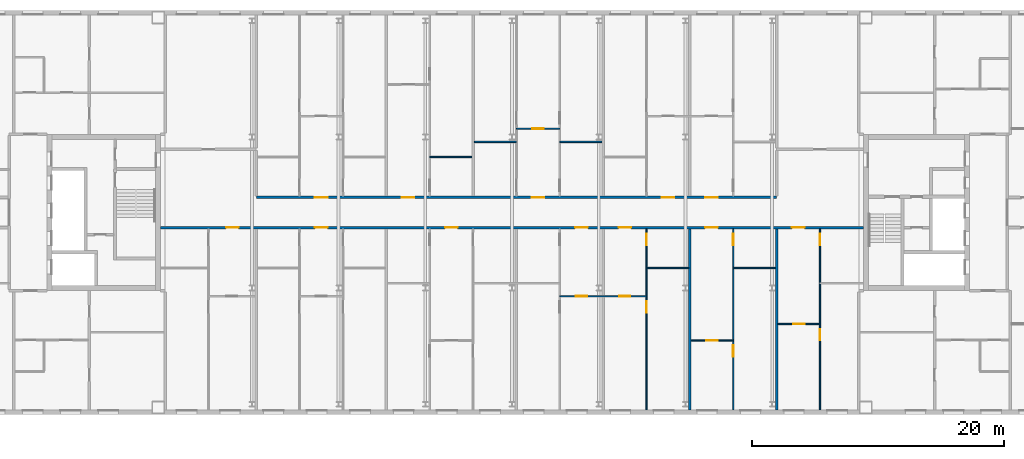
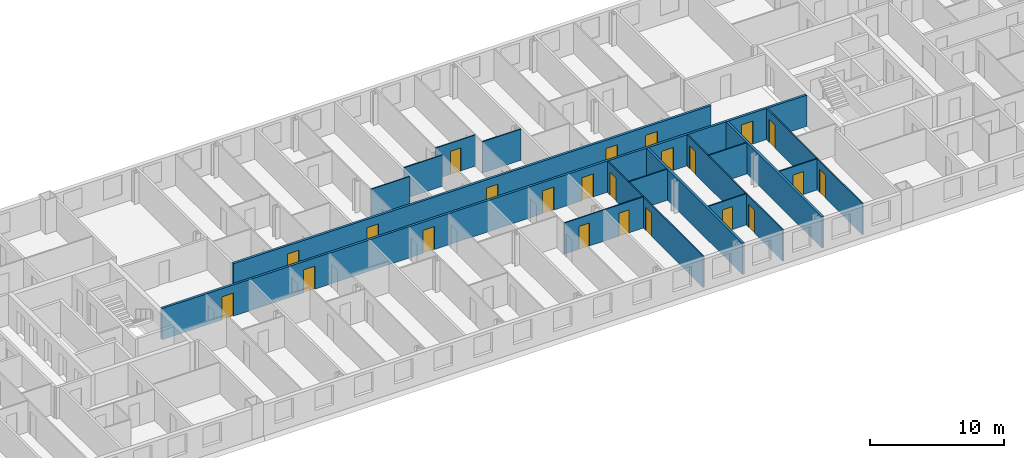
# One storey, part 11 of 19: 23 doors, 16 walls, 23 openings.
"""IFC4 building model written with IfcOpenShell, lengths in metres."""

from ifc_helpers import new_model, si_unit, direction, frame, frame_2d, origin, place, context, subcontext, project, spatial, rectangle, extrude, material, layer, layer_set, type_object, element, fill, save


model = new_model("IFC4")

# Units and contexts
model_context = context("Model", 3, precision=1e-05, world=origin(), true_north=direction((0.0, 1.0)))
body_context = subcontext(model_context, "Body", "Model", "MODEL_VIEW")
ifc_project = project(units=[si_unit("LENGTHUNIT", "METRE"), si_unit("AREAUNIT", "SQUARE_METRE"), si_unit("VOLUMEUNIT", "CUBIC_METRE"), si_unit("PLANEANGLEUNIT", "RADIAN"), si_unit("MASSUNIT", "GRAM", prefix="KILO")], contexts=[model_context])

# Site, building, storey
site_placement = place(None, origin())
site = spatial("IfcSite", under=ifc_project, at=site_placement, CompositionType="ELEMENT")
building_placement = place(site_placement, origin())
building = spatial("IfcBuilding", under=site, at=building_placement, Name="Tuart Gate Housing", CompositionType="ELEMENT")
storey_placement = place(building_placement, frame((0.0, 0.0, 202.800048828125)))
storey = spatial("IfcBuildingStorey", under=building, at=storey_placement, Name="L57", CompositionType="ELEMENT", Elevation=202.800048828125)

# Wall, openings, doors
ifc_material_1 = material(Name="Concrete masonry 15 MPa", Category="masonry")
ifc_layer_1 = layer(ifc_material_1, 0.199951171875)
ifc_layer_set_1 = layer_set([ifc_layer_1], Name="Corridor wall masonry 200")
wall_type_1 = type_object("IfcWallType", Name="Corridor wall masonry 200", PredefinedType="PARTITIONING", material=ifc_layer_set_1)
wall_1_placement = place(storey_placement, frame((75.639892578125, 68.800048828125, 0.0), z_axis=(0.0, 0.0, 1.0), x_axis=(1.0, 0.0, 0.0)))
wall_1 = element("IfcWall", 1, at=wall_1_placement, inside=storey, type_object=wall_type_1, Name="Corridor wall masonry 200", PredefinedType="PARTITIONING", context=body_context, shape_type="SweptSolid", body=[
    extrude(rectangle(XDim=55.72021484375, YDim=0.199951171875, at=frame_2d((27.860107421875, 0.0))), origin(), (0.0, 0.0, 1.0), 2.849853515625),
])
opening_1_placement = place(wall_1_placement, frame((5.19140625, 0.0, 0.0)))
opening_1 = element("IfcOpeningElement", 2, at=opening_1_placement, cuts=wall_1, Name="Opening D2028", PredefinedType="OPENING", context=body_context, shape_type="SweptSolid", body=[
    extrude(rectangle(XDim=1.0, YDim=2.10009765625, at=frame_2d((0.5, 1.050048828125))), frame((0.0, 0.10986328125, 0.0), z_axis=(0.0, -1.0, 0.0), x_axis=(1.0, 0.0, 0.0)), (0.0, 0.0, 1.0), 0.219970703125),
])
opening_2_placement = place(wall_1_placement, frame((12.240966796875, 0.0, 0.0)))
opening_2 = element("IfcOpeningElement", 3, at=opening_2_placement, cuts=wall_1, Name="Opening D2029", PredefinedType="OPENING", context=body_context, shape_type="SweptSolid", body=[
    extrude(rectangle(XDim=1.0, YDim=2.10009765625, at=frame_2d((0.5, 1.050048828125))), frame((0.0, 0.10986328125, 0.0), z_axis=(0.0, -1.0, 0.0), x_axis=(1.0, 0.0, 0.0)), (0.0, 0.0, 1.0), 0.219970703125),
])
opening_3_placement = place(wall_1_placement, frame((22.553466796875, 0.0, 0.0)))
opening_3 = element("IfcOpeningElement", 4, at=opening_3_placement, cuts=wall_1, Name="Opening D2030", PredefinedType="OPENING", context=body_context, shape_type="SweptSolid", body=[
    extrude(rectangle(XDim=1.0, YDim=2.10009765625, at=frame_2d((0.5, 1.050048828125))), frame((0.0, 0.10986328125, 0.0), z_axis=(0.0, -1.0, 0.0), x_axis=(1.0, 0.0, 0.0)), (0.0, 0.0, 1.0), 0.219970703125),
])
opening_4_placement = place(wall_1_placement, frame((32.865966796875, 0.0, 0.0)))
opening_4 = element("IfcOpeningElement", 5, at=opening_4_placement, cuts=wall_1, Name="Opening D2031", PredefinedType="OPENING", context=body_context, shape_type="SweptSolid", body=[
    extrude(rectangle(XDim=1.0, YDim=2.10009765625, at=frame_2d((0.5, 1.050048828125))), frame((0.0, 0.10986328125, 0.0), z_axis=(0.0, -1.0, 0.0), x_axis=(1.0, 0.0, 0.0)), (0.0, 0.0, 1.0), 0.219970703125),
])
opening_5_placement = place(wall_1_placement, frame((36.303466796875, 0.0, 0.0)))
opening_5 = element("IfcOpeningElement", 6, at=opening_5_placement, cuts=wall_1, Name="Opening D2032", PredefinedType="OPENING", context=body_context, shape_type="SweptSolid", body=[
    extrude(rectangle(XDim=1.0, YDim=2.10009765625, at=frame_2d((0.5, 1.050048828125))), frame((0.0, 0.10986328125, 0.0), z_axis=(0.0, -1.0, 0.0), x_axis=(1.0, 0.0, 0.0)), (0.0, 0.0, 1.0), 0.219970703125),
])
opening_6_placement = place(wall_1_placement, frame((43.178466796875, 0.0, 0.0)))
opening_6 = element("IfcOpeningElement", 7, at=opening_6_placement, cuts=wall_1, Name="Opening D2033", PredefinedType="OPENING", context=body_context, shape_type="SweptSolid", body=[
    extrude(rectangle(XDim=1.0, YDim=2.10009765625, at=frame_2d((0.5, 1.050048828125))), frame((0.0, 0.10986328125, 0.0), z_axis=(0.0, -1.0, 0.0), x_axis=(1.0, 0.0, 0.0)), (0.0, 0.0, 1.0), 0.219970703125),
])
opening_7_placement = place(wall_1_placement, frame((50.053466796875, 0.0, 0.0)))
opening_7 = element("IfcOpeningElement", 8, at=opening_7_placement, cuts=wall_1, Name="Opening D2034", PredefinedType="OPENING", context=body_context, shape_type="SweptSolid", body=[
    extrude(rectangle(XDim=1.0, YDim=2.10009765625, at=frame_2d((0.5, 1.050048828125))), frame((0.0, 0.10986328125, 0.0), z_axis=(0.0, -1.0, 0.0), x_axis=(1.0, 0.0, 0.0)), (0.0, 0.0, 1.0), 0.219970703125),
])
ifc_material_2 = material(Name="Timber door leaf in steel frame", Category="steel")
door_type_1 = type_object("IfcDoorType", Name="Flat entrance door 1000 RH", OperationType="SINGLE_SWING_RIGHT", PredefinedType="DOOR", material=ifc_material_2)
door_1_placement = place(opening_1_placement, frame((1.0, 0.0, 0.0), z_axis=(0.0, 0.0, 1.0), x_axis=(-1.0, 0.0, 0.0)))
door_1 = element("IfcDoor", 9, at=door_1_placement, inside=storey, type_object=door_type_1, Name="Flat entrance door", OperationType="SINGLE_SWING_RIGHT", OverallHeight=2.10009765625, OverallWidth=1.0, PredefinedType="DOOR", context=body_context, shape_type="SweptSolid", body=[
    extrude(rectangle(XDim=1.0, YDim=2.10009765625, at=frame_2d((0.5, 1.050048828125))), frame((0.0, 0.025146484375, 0.0), z_axis=(0.0, -1.0, 0.0), x_axis=(1.0, 0.0, 0.0)), (0.0, 0.0, 1.0), 0.050048828125),
])
fill(opening_1, door_1)
door_2_placement = place(opening_2_placement, frame((1.0, 0.0, 0.0), z_axis=(0.0, 0.0, 1.0), x_axis=(-1.0, 0.0, 0.0)))
door_2 = element("IfcDoor", 10, at=door_2_placement, inside=storey, type_object=door_type_1, Name="Flat entrance door", OperationType="SINGLE_SWING_RIGHT", OverallHeight=2.10009765625, OverallWidth=1.0, PredefinedType="DOOR", context=body_context, shape_type="SweptSolid", body=[
    extrude(rectangle(XDim=1.0, YDim=2.10009765625, at=frame_2d((0.5, 1.050048828125))), frame((0.0, 0.025146484375, 0.0), z_axis=(0.0, -1.0, 0.0), x_axis=(1.0, 0.0, 0.0)), (0.0, 0.0, 1.0), 0.050048828125),
])
fill(opening_2, door_2)
door_3_placement = place(opening_3_placement, frame((1.0, 0.0, 0.0), z_axis=(0.0, 0.0, 1.0), x_axis=(-1.0, 0.0, 0.0)))
door_3 = element("IfcDoor", 11, at=door_3_placement, inside=storey, type_object=door_type_1, Name="Flat entrance door", OperationType="SINGLE_SWING_RIGHT", OverallHeight=2.10009765625, OverallWidth=1.0, PredefinedType="DOOR", context=body_context, shape_type="SweptSolid", body=[
    extrude(rectangle(XDim=1.0, YDim=2.10009765625, at=frame_2d((0.5, 1.050048828125))), frame((0.0, 0.025146484375, 0.0), z_axis=(0.0, -1.0, 0.0), x_axis=(1.0, 0.0, 0.0)), (0.0, 0.0, 1.0), 0.050048828125),
])
fill(opening_3, door_3)
door_4_placement = place(opening_4_placement, frame((1.0, 0.0, 0.0), z_axis=(0.0, 0.0, 1.0), x_axis=(-1.0, 0.0, 0.0)))
door_4 = element("IfcDoor", 12, at=door_4_placement, inside=storey, type_object=door_type_1, Name="Flat entrance door", OperationType="SINGLE_SWING_RIGHT", OverallHeight=2.10009765625, OverallWidth=1.0, PredefinedType="DOOR", context=body_context, shape_type="SweptSolid", body=[
    extrude(rectangle(XDim=1.0, YDim=2.10009765625, at=frame_2d((0.5, 1.050048828125))), frame((0.0, 0.025146484375, 0.0), z_axis=(0.0, -1.0, 0.0), x_axis=(1.0, 0.0, 0.0)), (0.0, 0.0, 1.0), 0.050048828125),
])
fill(opening_4, door_4)
door_5_placement = place(opening_5_placement, frame((1.0, 0.0, 0.0), z_axis=(0.0, 0.0, 1.0), x_axis=(-1.0, 0.0, 0.0)))
door_5 = element("IfcDoor", 13, at=door_5_placement, inside=storey, type_object=door_type_1, Name="Flat entrance door", OperationType="SINGLE_SWING_RIGHT", OverallHeight=2.10009765625, OverallWidth=1.0, PredefinedType="DOOR", context=body_context, shape_type="SweptSolid", body=[
    extrude(rectangle(XDim=1.0, YDim=2.10009765625, at=frame_2d((0.5, 1.050048828125))), frame((0.0, 0.025146484375, 0.0), z_axis=(0.0, -1.0, 0.0), x_axis=(1.0, 0.0, 0.0)), (0.0, 0.0, 1.0), 0.050048828125),
])
fill(opening_5, door_5)
door_6_placement = place(opening_6_placement, frame((1.0, 0.0, 0.0), z_axis=(0.0, 0.0, 1.0), x_axis=(-1.0, 0.0, 0.0)))
door_6 = element("IfcDoor", 14, at=door_6_placement, inside=storey, type_object=door_type_1, Name="Flat entrance door", OperationType="SINGLE_SWING_RIGHT", OverallHeight=2.10009765625, OverallWidth=1.0, PredefinedType="DOOR", context=body_context, shape_type="SweptSolid", body=[
    extrude(rectangle(XDim=1.0, YDim=2.10009765625, at=frame_2d((0.5, 1.050048828125))), frame((0.0, 0.025146484375, 0.0), z_axis=(0.0, -1.0, 0.0), x_axis=(1.0, 0.0, 0.0)), (0.0, 0.0, 1.0), 0.050048828125),
])
fill(opening_6, door_6)
door_7_placement = place(opening_7_placement, frame((1.0, 0.0, 0.0), z_axis=(0.0, 0.0, 1.0), x_axis=(-1.0, 0.0, 0.0)))
door_7 = element("IfcDoor", 15, at=door_7_placement, inside=storey, type_object=door_type_1, Name="Flat entrance door", OperationType="SINGLE_SWING_RIGHT", OverallHeight=2.10009765625, OverallWidth=1.0, PredefinedType="DOOR", context=body_context, shape_type="SweptSolid", body=[
    extrude(rectangle(XDim=1.0, YDim=2.10009765625, at=frame_2d((0.5, 1.050048828125))), frame((0.0, 0.025146484375, 0.0), z_axis=(0.0, -1.0, 0.0), x_axis=(1.0, 0.0, 0.0)), (0.0, 0.0, 1.0), 0.050048828125),
])
fill(opening_7, door_7)

wall_2_placement = place(storey_placement, frame((83.22509765625, 71.199951171875, 0.0), z_axis=(0.0, 0.0, 1.0), x_axis=(1.0, 0.0, 0.0)))
wall_2 = element("IfcWall", 16, at=wall_2_placement, inside=storey, type_object=wall_type_1, Name="Corridor wall masonry 200", PredefinedType="PARTITIONING", context=body_context, shape_type="SweptSolid", body=[
    extrude(rectangle(XDim=41.25, YDim=0.199951171875, at=frame_2d((20.625, 0.0))), origin(), (0.0, 0.0, 1.0), 2.849853515625),
])
opening_8_placement = place(wall_2_placement, frame((4.656005859375, 0.0, 0.0)))
opening_8 = element("IfcOpeningElement", 17, at=opening_8_placement, cuts=wall_2, Name="Opening D2023", PredefinedType="OPENING", context=body_context, shape_type="SweptSolid", body=[
    extrude(rectangle(XDim=1.0, YDim=2.10009765625, at=frame_2d((0.5, 1.050048828125))), frame((0.0, 0.10986328125, 0.0), z_axis=(0.0, -1.0, 0.0), x_axis=(1.0, 0.0, 0.0)), (0.0, 0.0, 1.0), 0.219970703125),
])
opening_9_placement = place(wall_2_placement, frame((11.531005859375, 0.0, 0.0)))
opening_9 = element("IfcOpeningElement", 18, at=opening_9_placement, cuts=wall_2, Name="Opening D2024", PredefinedType="OPENING", context=body_context, shape_type="SweptSolid", body=[
    extrude(rectangle(XDim=1.0, YDim=2.10009765625, at=frame_2d((0.5, 1.050048828125))), frame((0.0, 0.10986328125, 0.0), z_axis=(0.0, -1.0, 0.0), x_axis=(1.0, 0.0, 0.0)), (0.0, 0.0, 1.0), 0.219970703125),
])
opening_10_placement = place(wall_2_placement, frame((21.843505859375, 0.0, 0.0)))
opening_10 = element("IfcOpeningElement", 19, at=opening_10_placement, cuts=wall_2, Name="Opening D2025", PredefinedType="OPENING", context=body_context, shape_type="SweptSolid", body=[
    extrude(rectangle(XDim=1.0, YDim=2.10009765625, at=frame_2d((0.5, 1.050048828125))), frame((0.0, 0.10986328125, 0.0), z_axis=(0.0, -1.0, 0.0), x_axis=(1.0, 0.0, 0.0)), (0.0, 0.0, 1.0), 0.219970703125),
])
opening_11_placement = place(wall_2_placement, frame((32.156005859375, 0.0, 0.0)))
opening_11 = element("IfcOpeningElement", 20, at=opening_11_placement, cuts=wall_2, Name="Opening D2026", PredefinedType="OPENING", context=body_context, shape_type="SweptSolid", body=[
    extrude(rectangle(XDim=1.0, YDim=2.10009765625, at=frame_2d((0.5, 1.050048828125))), frame((0.0, 0.10986328125, 0.0), z_axis=(0.0, -1.0, 0.0), x_axis=(1.0, 0.0, 0.0)), (0.0, 0.0, 1.0), 0.219970703125),
])
opening_12_placement = place(wall_2_placement, frame((35.593505859375, 0.0, 0.0)))
opening_12 = element("IfcOpeningElement", 21, at=opening_12_placement, cuts=wall_2, Name="Opening D2027", PredefinedType="OPENING", context=body_context, shape_type="SweptSolid", body=[
    extrude(rectangle(XDim=1.0, YDim=2.10009765625, at=frame_2d((0.5, 1.050048828125))), frame((0.0, 0.10986328125, 0.0), z_axis=(0.0, -1.0, 0.0), x_axis=(1.0, 0.0, 0.0)), (0.0, 0.0, 1.0), 0.219970703125),
])
ifc_material_3 = material(Name="Timber door leaf in steel frame", Category="steel")
door_type_2 = type_object("IfcDoorType", Name="Flat entrance door 1000", OperationType="SINGLE_SWING_LEFT", PredefinedType="DOOR", material=ifc_material_3)
door_8_placement = place(opening_8_placement, origin())
door_8 = element("IfcDoor", 22, at=door_8_placement, inside=storey, type_object=door_type_2, Name="Flat entrance door", OperationType="SINGLE_SWING_LEFT", OverallHeight=2.10009765625, OverallWidth=1.0, PredefinedType="DOOR", context=body_context, shape_type="SweptSolid", body=[
    extrude(rectangle(XDim=1.0, YDim=2.10009765625, at=frame_2d((0.5, 1.050048828125))), frame((0.0, 0.02490234375, 0.0), z_axis=(0.0, -1.0, 0.0), x_axis=(1.0, 0.0, 0.0)), (0.0, 0.0, 1.0), 0.050048828125),
])
fill(opening_8, door_8)
door_9_placement = place(opening_9_placement, origin())
door_9 = element("IfcDoor", 23, at=door_9_placement, inside=storey, type_object=door_type_2, Name="Flat entrance door", OperationType="SINGLE_SWING_LEFT", OverallHeight=2.10009765625, OverallWidth=1.0, PredefinedType="DOOR", context=body_context, shape_type="SweptSolid", body=[
    extrude(rectangle(XDim=1.0, YDim=2.10009765625, at=frame_2d((0.5, 1.050048828125))), frame((0.0, 0.02490234375, 0.0), z_axis=(0.0, -1.0, 0.0), x_axis=(1.0, 0.0, 0.0)), (0.0, 0.0, 1.0), 0.050048828125),
])
fill(opening_9, door_9)
door_10_placement = place(opening_10_placement, origin())
door_10 = element("IfcDoor", 24, at=door_10_placement, inside=storey, type_object=door_type_2, Name="Flat entrance door", OperationType="SINGLE_SWING_LEFT", OverallHeight=2.10009765625, OverallWidth=1.0, PredefinedType="DOOR", context=body_context, shape_type="SweptSolid", body=[
    extrude(rectangle(XDim=1.0, YDim=2.10009765625, at=frame_2d((0.5, 1.050048828125))), frame((0.0, 0.02490234375, 0.0), z_axis=(0.0, -1.0, 0.0), x_axis=(1.0, 0.0, 0.0)), (0.0, 0.0, 1.0), 0.050048828125),
])
fill(opening_10, door_10)
door_11_placement = place(opening_11_placement, origin())
door_11 = element("IfcDoor", 25, at=door_11_placement, inside=storey, type_object=door_type_2, Name="Flat entrance door", OperationType="SINGLE_SWING_LEFT", OverallHeight=2.10009765625, OverallWidth=1.0, PredefinedType="DOOR", context=body_context, shape_type="SweptSolid", body=[
    extrude(rectangle(XDim=1.0, YDim=2.10009765625, at=frame_2d((0.5, 1.050048828125))), frame((0.0, 0.02490234375, 0.0), z_axis=(0.0, -1.0, 0.0), x_axis=(1.0, 0.0, 0.0)), (0.0, 0.0, 1.0), 0.050048828125),
])
fill(opening_11, door_11)
door_12_placement = place(opening_12_placement, origin())
door_12 = element("IfcDoor", 26, at=door_12_placement, inside=storey, type_object=door_type_2, Name="Flat entrance door", OperationType="SINGLE_SWING_LEFT", OverallHeight=2.10009765625, OverallWidth=1.0, PredefinedType="DOOR", context=body_context, shape_type="SweptSolid", body=[
    extrude(rectangle(XDim=1.0, YDim=2.10009765625, at=frame_2d((0.5, 1.050048828125))), frame((0.0, 0.02490234375, 0.0), z_axis=(0.0, -1.0, 0.0), x_axis=(1.0, 0.0, 0.0)), (0.0, 0.0, 1.0), 0.050048828125),
])
fill(opening_12, door_12)

# Wall, opening, door
ifc_material_4 = material(Name="Gypsum board on steel studs", Category="steel")
ifc_layer_2 = layer(ifc_material_4, 0.10009765625)
ifc_layer_set_2 = layer_set([ifc_layer_2], Name="Partition 100")
wall_type_2 = type_object("IfcWallType", Name="Partition 100", PredefinedType="PARTITIONING", material=ifc_layer_set_2)
wall_3_placement = place(storey_placement, frame((117.699951171875, 59.860107421875, 0.0), z_axis=(0.0, 0.0, 1.0), x_axis=(1.0, 0.0, 0.0)))
wall_3 = element("IfcWall", 27, at=wall_3_placement, inside=storey, type_object=wall_type_2, Name="Partition 100", PredefinedType="PARTITIONING", context=body_context, shape_type="SweptSolid", body=[
    extrude(rectangle(XDim=3.337158203125, YDim=0.10009765625, at=frame_2d((1.66845703125, 0.0))), origin(), (0.0, 0.0, 1.0), 2.849853515625),
])
opening_13_placement = place(wall_3_placement, frame((1.218505859375, 0.0, 0.0)))
opening_13 = element("IfcOpeningElement", 28, at=opening_13_placement, cuts=wall_3, Name="Opening D2059", PredefinedType="OPENING", context=body_context, shape_type="SweptSolid", body=[
    extrude(rectangle(XDim=0.89990234375, YDim=2.10009765625, at=frame_2d((0.449951171875, 1.050048828125))), frame((0.0, 0.06005859375, 0.0), z_axis=(0.0, -1.0, 0.0), x_axis=(1.0, 0.0, 0.0)), (0.0, 0.0, 1.0), 0.1201171875),
])
ifc_material_5 = material(Name="Timber door leaf in steel frame", Category="steel")
door_type_3 = type_object("IfcDoorType", Name="Internal door 900 RH", OperationType="SINGLE_SWING_RIGHT", PredefinedType="DOOR", material=ifc_material_5)
door_13_placement = place(opening_13_placement, origin())
door_13 = element("IfcDoor", 29, at=door_13_placement, inside=storey, type_object=door_type_3, Name="Internal door", OperationType="SINGLE_SWING_RIGHT", OverallHeight=2.10009765625, OverallWidth=0.89990234375, PredefinedType="DOOR", context=body_context, shape_type="SweptSolid", body=[
    extrude(rectangle(XDim=0.89990234375, YDim=2.10009765625, at=frame_2d((0.449951171875, 1.050048828125))), frame((0.0, 0.02490234375, 0.0), z_axis=(0.0, -1.0, 0.0), x_axis=(1.0, 0.0, 0.0)), (0.0, 0.0, 1.0), 0.050048828125),
])
fill(opening_13, door_13)

wall_4_placement = place(storey_placement, frame((124.574951171875, 61.159912109375, 0.0), z_axis=(0.0, 0.0, 1.0), x_axis=(1.0, 0.0, 0.0)))
wall_4 = element("IfcWall", 30, at=wall_4_placement, inside=storey, type_object=wall_type_2, Name="Partition 100", PredefinedType="PARTITIONING", context=body_context, shape_type="SweptSolid", body=[
    extrude(rectangle(XDim=3.337158203125, YDim=0.10009765625, at=frame_2d((1.66845703125, 0.0))), origin(), (0.0, 0.0, 1.0), 2.849853515625),
])
opening_14_placement = place(wall_4_placement, frame((1.218505859375, 0.0, 0.0)))
opening_14 = element("IfcOpeningElement", 31, at=opening_14_placement, cuts=wall_4, Name="Opening D2057", PredefinedType="OPENING", context=body_context, shape_type="SweptSolid", body=[
    extrude(rectangle(XDim=0.89990234375, YDim=2.10009765625, at=frame_2d((0.449951171875, 1.050048828125))), frame((0.0, 0.06005859375, 0.0), z_axis=(0.0, -1.0, 0.0), x_axis=(1.0, 0.0, 0.0)), (0.0, 0.0, 1.0), 0.1201171875),
])
door_14_placement = place(opening_14_placement, origin())
door_14 = element("IfcDoor", 32, at=door_14_placement, inside=storey, type_object=door_type_3, Name="Internal door", OperationType="SINGLE_SWING_RIGHT", OverallHeight=2.10009765625, OverallWidth=0.89990234375, PredefinedType="DOOR", context=body_context, shape_type="SweptSolid", body=[
    extrude(rectangle(XDim=0.89990234375, YDim=2.10009765625, at=frame_2d((0.449951171875, 1.050048828125))), frame((0.0, 0.02490234375, 0.0), z_axis=(0.0, -1.0, 0.0), x_axis=(1.0, 0.0, 0.0)), (0.0, 0.0, 1.0), 0.050048828125),
])
fill(opening_14, door_14)

# Wall, openings, doors
wall_5_placement = place(storey_placement, frame((107.287109375, 63.360107421875, 0.0), z_axis=(0.0, 0.0, 1.0), x_axis=(1.0, 0.0, 0.0)))
wall_5 = element("IfcWall", 33, at=wall_5_placement, inside=storey, type_object=wall_type_2, Name="Partition 100", PredefinedType="PARTITIONING", context=body_context, shape_type="SweptSolid", body=[
    extrude(rectangle(XDim=6.875, YDim=0.10009765625, at=frame_2d((3.4375, 0.0))), origin(), (0.0, 0.0, 1.0), 2.849853515625),
])
opening_15_placement = place(wall_5_placement, frame((1.26904296875, 0.0, 0.0)))
opening_15 = element("IfcOpeningElement", 34, at=opening_15_placement, cuts=wall_5, Name="Opening D2037", PredefinedType="OPENING", context=body_context, shape_type="SweptSolid", body=[
    extrude(rectangle(XDim=0.89990234375, YDim=2.10009765625, at=frame_2d((0.449951171875, 1.050048828125))), frame((0.0, 0.06005859375, 0.0), z_axis=(0.0, -1.0, 0.0), x_axis=(1.0, 0.0, 0.0)), (0.0, 0.0, 1.0), 0.1201171875),
])
opening_16_placement = place(wall_5_placement, frame((4.70654296875, 0.0, 0.0)))
opening_16 = element("IfcOpeningElement", 35, at=opening_16_placement, cuts=wall_5, Name="Opening D2038", PredefinedType="OPENING", context=body_context, shape_type="SweptSolid", body=[
    extrude(rectangle(XDim=0.89990234375, YDim=2.10009765625, at=frame_2d((0.449951171875, 1.050048828125))), frame((0.0, 0.06005859375, 0.0), z_axis=(0.0, -1.0, 0.0), x_axis=(1.0, 0.0, 0.0)), (0.0, 0.0, 1.0), 0.1201171875),
])
ifc_material_6 = material(Name="Timber door leaf in steel frame", Category="steel")
door_type_4 = type_object("IfcDoorType", Name="Internal door 900", OperationType="SINGLE_SWING_LEFT", PredefinedType="DOOR", material=ifc_material_6)
door_15_placement = place(opening_15_placement, origin())
door_15 = element("IfcDoor", 36, at=door_15_placement, inside=storey, type_object=door_type_4, Name="Internal door", OperationType="SINGLE_SWING_LEFT", OverallHeight=2.10009765625, OverallWidth=0.89990234375, PredefinedType="DOOR", context=body_context, shape_type="SweptSolid", body=[
    extrude(rectangle(XDim=0.89990234375, YDim=2.10009765625, at=frame_2d((0.449951171875, 1.050048828125))), frame((0.0, 0.02490234375, 0.0), z_axis=(0.0, -1.0, 0.0), x_axis=(1.0, 0.0, 0.0)), (0.0, 0.0, 1.0), 0.050048828125),
])
fill(opening_15, door_15)
door_16_placement = place(opening_16_placement, origin())
door_16 = element("IfcDoor", 37, at=door_16_placement, inside=storey, type_object=door_type_4, Name="Internal door", OperationType="SINGLE_SWING_LEFT", OverallHeight=2.10009765625, OverallWidth=0.89990234375, PredefinedType="DOOR", context=body_context, shape_type="SweptSolid", body=[
    extrude(rectangle(XDim=0.89990234375, YDim=2.10009765625, at=frame_2d((0.449951171875, 1.050048828125))), frame((0.0, 0.02490234375, 0.0), z_axis=(0.0, -1.0, 0.0), x_axis=(1.0, 0.0, 0.0)), (0.0, 0.0, 1.0), 0.050048828125),
])
fill(opening_16, door_16)

# Walls
for number, where, z_axis, x_axis, name in (
    (38, (114.162109375, 65.60009765625, 0.0), (0.0, 0.0, 1.0), (1.0, 0.0, 0.0), "Partition 100"),
    (39, (121.037109375, 65.60009765625, 0.0), (0.0, 0.0, 1.0), (1.0, 0.0, 0.0), "Partition 100"),
):
    element("IfcWall", number, at=place(storey_placement, frame(where, z_axis=z_axis, x_axis=x_axis)), inside=storey, type_object=wall_type_2, Name=name, PredefinedType="PARTITIONING", context=body_context, shape_type="SweptSolid", body=[
        extrude(rectangle(XDim=3.337890625, YDim=0.10009765625, at=frame_2d((1.6689453125, 0.0))), origin(), (0.0, 0.0, 1.0), 2.849853515625),
    ])
wall_6_placement = place(storey_placement, frame((96.97509765625, 74.39990234375, 0.0), z_axis=(0.0, 0.0, 1.0), x_axis=(1.0, 0.0, 0.0)))
element("IfcWall", 40, at=wall_6_placement, inside=storey, type_object=wall_type_2, Name="Partition 100", PredefinedType="PARTITIONING", context=body_context, shape_type="SweptSolid", body=[
    extrude(rectangle(XDim=3.3369140625, YDim=0.10009765625, at=frame_2d((1.66845703125, 0.0))), origin(), (0.0, 0.0, 1.0), 2.849853515625),
])
wall_7_placement = place(storey_placement, frame((100.511962890625, 75.60009765625, 0.0), z_axis=(0.0, 0.0, 1.0), x_axis=(1.0, 0.0, 0.0)))
element("IfcWall", 41, at=wall_7_placement, inside=storey, type_object=wall_type_2, Name="Partition 100", PredefinedType="PARTITIONING", context=body_context, shape_type="SweptSolid", body=[
    extrude(rectangle(XDim=3.338134765625, YDim=0.10009765625, at=frame_2d((1.6689453125, 0.0))), origin(), (0.0, 0.0, 1.0), 2.849853515625),
])
wall_8_placement = place(storey_placement, frame((107.287109375, 75.60009765625, 0.0), z_axis=(0.0, 0.0, 1.0), x_axis=(1.0, 0.0, 0.0)))
element("IfcWall", 42, at=wall_8_placement, inside=storey, type_object=wall_type_2, Name="Partition 100", PredefinedType="PARTITIONING", context=body_context, shape_type="SweptSolid", body=[
    extrude(rectangle(XDim=3.337890625, YDim=0.10009765625, at=frame_2d((1.6689453125, 0.0))), origin(), (0.0, 0.0, 1.0), 2.849853515625),
])

# Wall, opening, door
wall_9_placement = place(storey_placement, frame((103.85009765625, 76.639892578125, 0.0), z_axis=(0.0, 0.0, 1.0), x_axis=(1.0, 0.0, 0.0)))
wall_9 = element("IfcWall", 43, at=wall_9_placement, inside=storey, type_object=wall_type_2, Name="Partition 100", PredefinedType="PARTITIONING", context=body_context, shape_type="SweptSolid", body=[
    extrude(rectangle(XDim=3.43701171875, YDim=0.10009765625, at=frame_2d((1.718505859375, 0.0))), origin(), (0.0, 0.0, 1.0), 2.849853515625),
])
opening_17_placement = place(wall_9_placement, frame((1.2685546875, 0.0, 0.0)))
opening_17 = element("IfcOpeningElement", 44, at=opening_17_placement, cuts=wall_9, Name="Opening D2020", PredefinedType="OPENING", context=body_context, shape_type="SweptSolid", body=[
    extrude(rectangle(XDim=0.89990234375, YDim=2.10009765625, at=frame_2d((0.449951171875, 1.050048828125))), frame((0.0, 0.06005859375, 0.0), z_axis=(0.0, -1.0, 0.0), x_axis=(1.0, 0.0, 0.0)), (0.0, 0.0, 1.0), 0.1201171875),
])
door_17_placement = place(opening_17_placement, frame((0.89990234375, 0.0, 0.0), z_axis=(0.0, 0.0, 1.0), x_axis=(-1.0, 0.0, 0.0)))
door_17 = element("IfcDoor", 45, at=door_17_placement, inside=storey, type_object=door_type_3, Name="Internal door", OperationType="SINGLE_SWING_RIGHT", OverallHeight=2.10009765625, OverallWidth=0.89990234375, PredefinedType="DOOR", context=body_context, shape_type="SweptSolid", body=[
    extrude(rectangle(XDim=0.89990234375, YDim=2.10009765625, at=frame_2d((0.449951171875, 1.050048828125))), frame((0.0, 0.025146484375, 0.0), z_axis=(0.0, -1.0, 0.0), x_axis=(1.0, 0.0, 0.0)), (0.0, 0.0, 1.0), 0.050048828125),
])
fill(opening_17, door_17)

# Wall, openings, doors
wall_10_placement = place(storey_placement, frame((114.162109375, 54.360107421875, 0.0), z_axis=(0.0, 0.0, 1.0), x_axis=(0.0, 1.0, 0.0)))
wall_10 = element("IfcWall", 46, at=wall_10_placement, inside=storey, type_object=wall_type_2, Name="Partition 100", PredefinedType="PARTITIONING", context=body_context, shape_type="SweptSolid", body=[
    extrude(rectangle(XDim=14.33984375, YDim=0.10009765625, at=frame_2d((7.169921875, 0.0))), origin(), (0.0, 0.0, 1.0), 2.849853515625),
])
opening_18_placement = place(wall_10_placement, frame((7.699951171875, 0.0, 0.0)))
opening_18 = element("IfcOpeningElement", 47, at=opening_18_placement, cuts=wall_10, Name="Opening D2052", PredefinedType="OPENING", context=body_context, shape_type="SweptSolid", body=[
    extrude(rectangle(XDim=0.89990234375, YDim=2.10009765625, at=frame_2d((0.449951171875, 1.050048828125))), frame((0.0, 0.06005859375, 0.0), z_axis=(0.0, -1.0, 0.0), x_axis=(1.0, 0.0, 0.0)), (0.0, 0.0, 1.0), 0.1201171875),
])
opening_19_placement = place(wall_10_placement, frame((13.0400390625, 0.0, 0.0)))
opening_19 = element("IfcOpeningElement", 48, at=opening_19_placement, cuts=wall_10, Name="Opening D2051", PredefinedType="OPENING", context=body_context, shape_type="SweptSolid", body=[
    extrude(rectangle(XDim=0.89990234375, YDim=2.10009765625, at=frame_2d((0.449951171875, 1.050048828125))), frame((0.0, 0.06005859375, 0.0), z_axis=(0.0, -1.0, 0.0), x_axis=(1.0, 0.0, 0.0)), (0.0, 0.0, 1.0), 0.1201171875),
])
ifc_material_7 = material(Name="Timber door leaf in steel frame", Category="steel")
door_type_5 = type_object("IfcDoorType", Name="Bathroom door 900", OperationType="SINGLE_SWING_LEFT", PredefinedType="DOOR", material=ifc_material_7)
door_18_placement = place(opening_19_placement, frame((0.89990234375, 0.0, 0.0), z_axis=(0.0, 0.0, 1.0), x_axis=(-1.0, 0.0, 0.0)))
door_18 = element("IfcDoor", 49, at=door_18_placement, inside=storey, type_object=door_type_5, Name="Bathroom door", OperationType="SINGLE_SWING_LEFT", OverallHeight=2.10009765625, OverallWidth=0.89990234375, PredefinedType="DOOR", context=body_context, shape_type="SweptSolid", body=[
    extrude(rectangle(XDim=0.89990234375, YDim=2.10009765625, at=frame_2d((0.449951171875, 1.050048828125))), frame((0.0, 0.025146484375, 0.0), z_axis=(0.0, -1.0, 0.0), x_axis=(1.0, 0.0, 0.0)), (0.0, 0.0, 1.0), 0.050048828125),
])
fill(opening_19, door_18)
door_19_placement = place(opening_18_placement, frame((0.89990234375, 0.0, 0.0), z_axis=(0.0, 0.0, 1.0), x_axis=(-1.0, 0.0, 0.0)))
door_19 = element("IfcDoor", 50, at=door_19_placement, inside=storey, type_object=door_type_4, Name="Internal door", OperationType="SINGLE_SWING_LEFT", OverallHeight=2.10009765625, OverallWidth=0.89990234375, PredefinedType="DOOR", context=body_context, shape_type="SweptSolid", body=[
    extrude(rectangle(XDim=0.89990234375, YDim=2.10009765625, at=frame_2d((0.449951171875, 1.050048828125))), frame((0.0, 0.025146484375, 0.0), z_axis=(0.0, -1.0, 0.0), x_axis=(1.0, 0.0, 0.0)), (0.0, 0.0, 1.0), 0.050048828125),
])
fill(opening_18, door_19)

wall_11_placement = place(storey_placement, frame((121.037109375, 54.360107421875, 0.0), z_axis=(0.0, 0.0, 1.0), x_axis=(0.0, 1.0, 0.0)))
wall_11 = element("IfcWall", 51, at=wall_11_placement, inside=storey, type_object=wall_type_2, Name="Partition 100", PredefinedType="PARTITIONING", context=body_context, shape_type="SweptSolid", body=[
    extrude(rectangle(XDim=14.33984375, YDim=0.10009765625, at=frame_2d((7.169921875, 0.0))), origin(), (0.0, 0.0, 1.0), 2.849853515625),
])
opening_20_placement = place(wall_11_placement, frame((4.199951171875, 0.0, 0.0)))
opening_20 = element("IfcOpeningElement", 52, at=opening_20_placement, cuts=wall_11, Name="Opening D2054", PredefinedType="OPENING", context=body_context, shape_type="SweptSolid", body=[
    extrude(rectangle(XDim=0.89990234375, YDim=2.10009765625, at=frame_2d((0.449951171875, 1.050048828125))), frame((0.0, 0.06005859375, 0.0), z_axis=(0.0, -1.0, 0.0), x_axis=(1.0, 0.0, 0.0)), (0.0, 0.0, 1.0), 0.1201171875),
])
opening_21_placement = place(wall_11_placement, frame((13.0400390625, 0.0, 0.0)))
opening_21 = element("IfcOpeningElement", 53, at=opening_21_placement, cuts=wall_11, Name="Opening D2053", PredefinedType="OPENING", context=body_context, shape_type="SweptSolid", body=[
    extrude(rectangle(XDim=0.89990234375, YDim=2.10009765625, at=frame_2d((0.449951171875, 1.050048828125))), frame((0.0, 0.06005859375, 0.0), z_axis=(0.0, -1.0, 0.0), x_axis=(1.0, 0.0, 0.0)), (0.0, 0.0, 1.0), 0.1201171875),
])
door_20_placement = place(opening_21_placement, frame((0.89990234375, 0.0, 0.0), z_axis=(0.0, 0.0, 1.0), x_axis=(-1.0, 0.0, 0.0)))
door_20 = element("IfcDoor", 54, at=door_20_placement, inside=storey, type_object=door_type_5, Name="Bathroom door", OperationType="SINGLE_SWING_LEFT", OverallHeight=2.10009765625, OverallWidth=0.89990234375, PredefinedType="DOOR", context=body_context, shape_type="SweptSolid", body=[
    extrude(rectangle(XDim=0.89990234375, YDim=2.10009765625, at=frame_2d((0.449951171875, 1.050048828125))), frame((0.0, 0.025146484375, 0.0), z_axis=(0.0, -1.0, 0.0), x_axis=(1.0, 0.0, 0.0)), (0.0, 0.0, 1.0), 0.050048828125),
])
fill(opening_21, door_20)
door_21_placement = place(opening_20_placement, frame((0.89990234375, 0.0, 0.0), z_axis=(0.0, 0.0, 1.0), x_axis=(-1.0, 0.0, 0.0)))
door_21 = element("IfcDoor", 55, at=door_21_placement, inside=storey, type_object=door_type_3, Name="Internal door", OperationType="SINGLE_SWING_RIGHT", OverallHeight=2.10009765625, OverallWidth=0.89990234375, PredefinedType="DOOR", context=body_context, shape_type="SweptSolid", body=[
    extrude(rectangle(XDim=0.89990234375, YDim=2.10009765625, at=frame_2d((0.449951171875, 1.050048828125))), frame((0.0, 0.025146484375, 0.0), z_axis=(0.0, -1.0, 0.0), x_axis=(1.0, 0.0, 0.0)), (0.0, 0.0, 1.0), 0.050048828125),
])
fill(opening_20, door_21)

wall_12_placement = place(storey_placement, frame((127.912109375, 54.360107421875, 0.0), z_axis=(0.0, 0.0, 1.0), x_axis=(0.0, 1.0, 0.0)))
wall_12 = element("IfcWall", 56, at=wall_12_placement, inside=storey, type_object=wall_type_2, Name="Partition 100", PredefinedType="PARTITIONING", context=body_context, shape_type="SweptSolid", body=[
    extrude(rectangle(XDim=14.33984375, YDim=0.10009765625, at=frame_2d((7.169921875, 0.0))), origin(), (0.0, 0.0, 1.0), 2.849853515625),
])
opening_22_placement = place(wall_12_placement, frame((5.5, 0.0, 0.0)))
opening_22 = element("IfcOpeningElement", 57, at=opening_22_placement, cuts=wall_12, Name="Opening D2056", PredefinedType="OPENING", context=body_context, shape_type="SweptSolid", body=[
    extrude(rectangle(XDim=0.89990234375, YDim=2.10009765625, at=frame_2d((0.449951171875, 1.050048828125))), frame((0.0, 0.06005859375, 0.0), z_axis=(0.0, -1.0, 0.0), x_axis=(1.0, 0.0, 0.0)), (0.0, 0.0, 1.0), 0.1201171875),
])
opening_23_placement = place(wall_12_placement, frame((13.0400390625, 0.0, 0.0)))
opening_23 = element("IfcOpeningElement", 58, at=opening_23_placement, cuts=wall_12, Name="Opening D2055", PredefinedType="OPENING", context=body_context, shape_type="SweptSolid", body=[
    extrude(rectangle(XDim=0.89990234375, YDim=2.10009765625, at=frame_2d((0.449951171875, 1.050048828125))), frame((0.0, 0.06005859375, 0.0), z_axis=(0.0, -1.0, 0.0), x_axis=(1.0, 0.0, 0.0)), (0.0, 0.0, 1.0), 0.1201171875),
])
door_22_placement = place(opening_23_placement, frame((0.89990234375, 0.0, 0.0), z_axis=(0.0, 0.0, 1.0), x_axis=(-1.0, 0.0, 0.0)))
door_22 = element("IfcDoor", 59, at=door_22_placement, inside=storey, type_object=door_type_5, Name="Bathroom door", OperationType="SINGLE_SWING_LEFT", OverallHeight=2.10009765625, OverallWidth=0.89990234375, PredefinedType="DOOR", context=body_context, shape_type="SweptSolid", body=[
    extrude(rectangle(XDim=0.89990234375, YDim=2.10009765625, at=frame_2d((0.449951171875, 1.050048828125))), frame((0.0, 0.025146484375, 0.0), z_axis=(0.0, -1.0, 0.0), x_axis=(1.0, 0.0, 0.0)), (0.0, 0.0, 1.0), 0.050048828125),
])
fill(opening_23, door_22)
door_23_placement = place(opening_22_placement, frame((0.89990234375, 0.0, 0.0), z_axis=(0.0, 0.0, 1.0), x_axis=(-1.0, 0.0, 0.0)))
door_23 = element("IfcDoor", 60, at=door_23_placement, inside=storey, type_object=door_type_4, Name="Internal door", OperationType="SINGLE_SWING_LEFT", OverallHeight=2.10009765625, OverallWidth=0.89990234375, PredefinedType="DOOR", context=body_context, shape_type="SweptSolid", body=[
    extrude(rectangle(XDim=0.89990234375, YDim=2.10009765625, at=frame_2d((0.449951171875, 1.050048828125))), frame((0.0, 0.025146484375, 0.0), z_axis=(0.0, -1.0, 0.0), x_axis=(1.0, 0.0, 0.0)), (0.0, 0.0, 1.0), 0.050048828125),
])
fill(opening_22, door_23)

# Walls
ifc_material_8 = material(Name="Concrete masonry 15 MPa", Category="masonry")
ifc_layer_3 = layer(ifc_material_8, 0.199951171875)
ifc_layer_set_3 = layer_set([ifc_layer_3], Name="Party wall masonry 200")
wall_type_3 = type_object("IfcWallType", Name="Party wall masonry 200", PredefinedType="PARTITIONING", material=ifc_layer_set_3)
for number, where, z_axis, x_axis, name in (
    (61, (117.60009765625, 54.360107421875, 0.0), (0.0, 0.0, 1.0), (0.0, 1.0, 0.0), "Party wall masonry 200"),
    (62, (124.47509765625, 54.360107421875, 0.0), (0.0, 0.0, 1.0), (0.0, 1.0, 0.0), "Party wall masonry 200"),
):
    element("IfcWall", number, at=place(storey_placement, frame(where, z_axis=z_axis, x_axis=x_axis)), inside=storey, type_object=wall_type_3, Name=name, PredefinedType="PARTITIONING", context=body_context, shape_type="SweptSolid", body=[
        extrude(rectangle(XDim=14.33984375, YDim=0.199951171875, at=frame_2d((7.169921875, 0.0))), origin(), (0.0, 0.0, 1.0), 2.849853515625),
    ])

save(model, "model.ifc")
